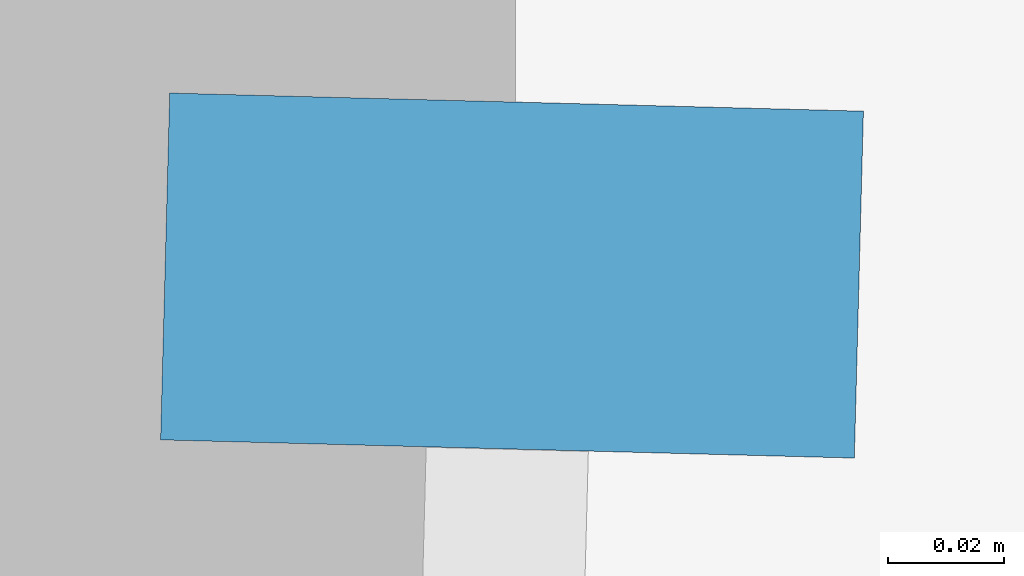
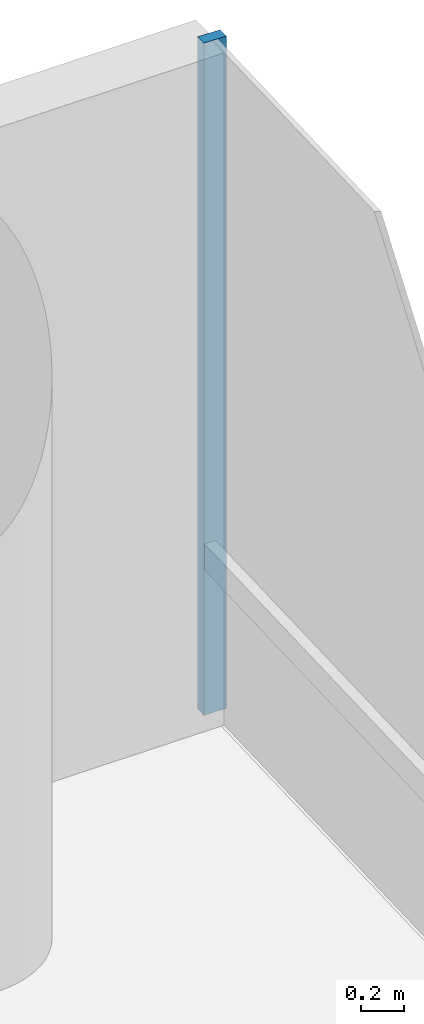
# One storey, part 16 of 23: 1 member, 1 element without a shape of its own.
"""IFC4 building model written with IfcOpenShell, lengths in metres."""

from ifc_helpers import new_model, si_unit, direction, frame, origin, origin_2d, place, context, subcontext, project, spatial, rectangle, extrude, material, layer, layer_set, material_profile, profile_set, type_object, element, aggregate, save


model = new_model("IFC4")

# Units and contexts
model_context = context("Model", 3, precision=1e-05, world=origin(), true_north=direction((0.0, 1.0)))
body_context = subcontext(model_context, "Body", "Model", "MODEL_VIEW")
ifc_project = project(units=[si_unit("LENGTHUNIT", "METRE"), si_unit("AREAUNIT", "SQUARE_METRE"), si_unit("VOLUMEUNIT", "CUBIC_METRE"), si_unit("PLANEANGLEUNIT", "RADIAN"), si_unit("MASSUNIT", "GRAM", prefix="KILO")], contexts=[model_context])

# Site, building, storey
site_placement = place(None, origin())
site = spatial("IfcSite", under=ifc_project, at=site_placement, CompositionType="ELEMENT")
building_placement = place(site_placement, origin())
building = spatial("IfcBuilding", under=site, at=building_placement, Name="Welwitschia Terrace Campus", CompositionType="ELEMENT")
storey_placement = place(building_placement, frame((0.0, 0.0, 117.199951171875)))
storey = spatial("IfcBuildingStorey", under=building, at=storey_placement, Name="L26", CompositionType="ELEMENT", Elevation=117.199951171875)

# Curtain wall, member
ifc_material_1 = material(Name="Bronze anodised aluminium", Category="aluminium")
ifc_layer = layer(ifc_material_1, 0.1201171875)
ifc_layer_set = layer_set([ifc_layer], Name="Bronze anodised aluminium")
curtain_wall_type = type_object("IfcCurtainWallType", Name="Curtain wall CW2 tower 6000", PredefinedType="NOTDEFINED", material=ifc_layer_set)
curtain_wall_placement = place(storey_placement, origin())
curtain_wall = element("IfcCurtainWall", 1, at=curtain_wall_placement, inside=storey, type_object=curtain_wall_type, Name="CW L26.10.0", PredefinedType="NOTDEFINED")
ifc_material_2 = material(Name="Bronze anodised aluminium", Category="aluminium")
ifc_material_profile = material_profile(ifc_material_2, rectangle(XDim=0.1201171875, YDim=0.06005859375, at=origin_2d()))
ifc_profile_set = profile_set([ifc_material_profile], Name="Bronze anodised aluminium")
member_type = type_object("IfcMemberType", Name="Mullion 60x120", PredefinedType="MULLION", material=ifc_profile_set)
member_placement = place(storey_placement, frame((26.021240234375, 71.0, 0.0), z_axis=(0.0, 0.0, 1.0), x_axis=(-0.999657324976, 0.026176948308, 0.0)))
member = element("IfcMember", 2, at=member_placement, type_object=member_type, Name="Mullion L26.10.0.6", PredefinedType="MULLION", context=body_context, shape_type="SweptSolid", body=[
    extrude(rectangle(XDim=0.1201171875, YDim=0.06005859375, at=origin_2d()), origin(), (0.0, 0.0, 1.0), 3.85009765625),
])
aggregate(curtain_wall, [member])

save(model, "model.ifc")
